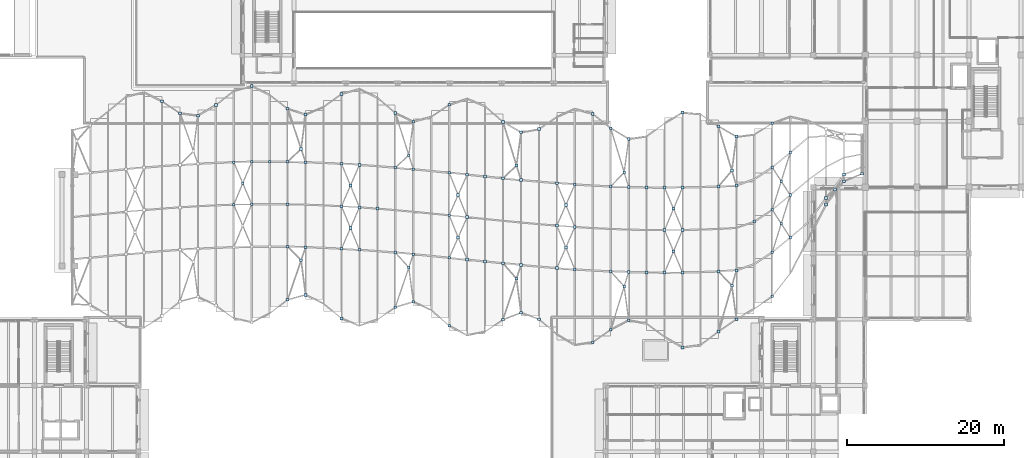
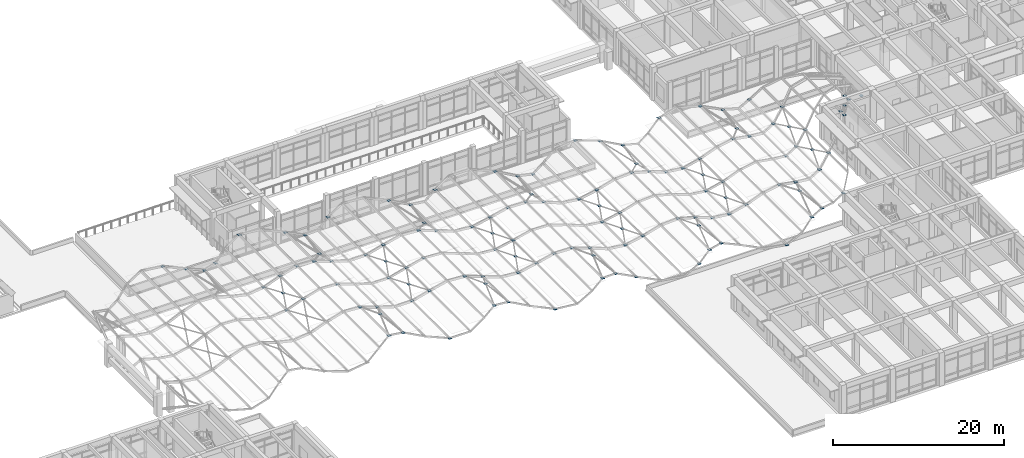
# One storey, part 48 of 79: 157 plates.
"""IFC4 building model written with IfcOpenShell, lengths in metres."""

from ifc_helpers import new_model, si_unit, direction, frame, origin, origin_2d, place, context, subcontext, project, spatial, rectangle, extrude, material, layer, layer_set, type_object, element, save


model = new_model("IFC4")

# Units and contexts
model_context = context("Model", 3, precision=1e-05, world=origin(), true_north=direction((0.0, 1.0)))
body_context = subcontext(model_context, "Body", "Model", "MODEL_VIEW")
ifc_project = project(units=[si_unit("LENGTHUNIT", "METRE"), si_unit("AREAUNIT", "SQUARE_METRE"), si_unit("VOLUMEUNIT", "CUBIC_METRE"), si_unit("PLANEANGLEUNIT", "RADIAN"), si_unit("MASSUNIT", "GRAM", prefix="KILO")], contexts=[model_context])

# Site, building, storey
site_placement = place(None, origin())
site = spatial("IfcSite", under=ifc_project, at=site_placement, CompositionType="ELEMENT")
building_placement = place(site_placement, origin())
building = spatial("IfcBuilding", under=site, at=building_placement, Name="Kolvaren Faculty of Natural Sciences", CompositionType="ELEMENT")
storey_placement = place(building_placement, frame((0.0, 0.0, 10.199951171875)))
storey = spatial("IfcBuildingStorey", under=building, at=storey_placement, Name="L02", CompositionType="ELEMENT", Elevation=10.199951171875)

# Plates
ifc_material = material(Name="Structural steel EN 10025-2 S355J2 (white architectural finish)", Category="steel")
ifc_layer = layer(ifc_material, 0.02001953125)
ifc_layer_set = layer_set([ifc_layer], Name="Structural steel EN 10025-2 S355J2 (white architectural finish)")
plate_type = type_object("IfcPlateType", Name="BranchTipCollarPlate_TN3", PredefinedType="USERDEFINED", material=ifc_layer_set)
for number, where, z_axis, x_axis, name in (
    (1, (49.4091796875, 69.923828125, 4.0595703125), (0.0, 0.0, 1.0), (1.0, 0.0, 0.0), "Steel tree TREE-02 branch tip collar node TN3"),
    (2, (56.25439453125, 69.436767578125, 2.41552734375), (0.0, 0.0, 1.0), (1.0, 0.0, 0.0), "Steel tree TREE-02 branch tip collar node TN3"),
    (3, (65.3818359375, 56.833251953125, 3.85888671875), (0.0, 0.0, 1.0), (1.0, 0.0, 0.0), "Steel tree TREE-03 branch tip collar node TN3"),
    (4, (65.3818359375, 51.43310546875, 3.833984375), (0.0, 0.0, 1.0), (1.0, 0.0, 0.0), "Steel tree TREE-03 branch tip collar node TN3"),
    (5, (67.66357421875, 45.320556640625, 3.129638671875), (0.0, 0.0, 1.0), (1.0, 0.0, 0.0), "Steel tree TREE-03 branch tip collar node TN3"),
    (6, (60.818115234375, 71.8515625, 3.388671875), (0.0, 0.0, 1.0), (1.0, 0.0, 0.0), "Steel tree TREE-04 branch tip collar node TN3"),
    (7, (63.10009765625, 62.25, 3.9609375), (0.0, 0.0, 1.0), (1.0, 0.0, 0.0), "Steel tree TREE-04 branch tip collar node TN3"),
    (8, (65.3818359375, 62.233154296875, 3.833984375), (0.0, 0.0, 1.0), (1.0, 0.0, 0.0), "Steel tree TREE-04 branch tip collar node TN3"),
    (9, (67.66357421875, 68.245849609375, 3.129638671875), (0.0, 0.0, 1.0), (1.0, 0.0, 0.0), "Steel tree TREE-04 branch tip collar node TN3"),
    (10, (72.227294921875, 42.328125, 2.5263671875), (0.0, 0.0, 1.0), (1.0, 0.0, 0.0), "Steel tree TREE-05 branch tip collar node TN3"),
    (11, (74.509033203125, 51.047119140625, 3.20654296875), (0.0, 0.0, 1.0), (1.0, 0.0, 0.0), "Steel tree TREE-05 branch tip collar node TN3"),
    (12, (76.791015625, 56.280517578125, 3.93701171875), (0.0, 0.0, 1.0), (1.0, 0.0, 0.0), "Steel tree TREE-05 branch tip collar node TN3"),
    (13, (79.07275390625, 50.692138671875, 3.900146484375), (0.0, 0.0, 1.0), (1.0, 0.0, 0.0), "Steel tree TREE-05 branch tip collar node TN3"),
    (14, (79.07275390625, 43.746337890625, 3.965087890625), (0.0, 0.0, 1.0), (1.0, 0.0, 0.0), "Steel tree TREE-05 branch tip collar node TN3"),
    (15, (72.227294921875, 70.847900390625, 2.5263671875), (0.0, 0.0, 1.0), (1.0, 0.0, 0.0), "Steel tree TREE-06 branch tip collar node TN3"),
    (16, (74.509033203125, 61.846923828125, 3.20654296875), (0.0, 0.0, 1.0), (1.0, 0.0, 0.0), "Steel tree TREE-06 branch tip collar node TN3"),
    (17, (79.07275390625, 61.4921875, 3.900146484375), (0.0, 0.0, 1.0), (1.0, 0.0, 0.0), "Steel tree TREE-06 branch tip collar node TN3"),
    (18, (79.07275390625, 68.43798828125, 3.965087890625), (0.0, 0.0, 1.0), (1.0, 0.0, 0.0), "Steel tree TREE-06 branch tip collar node TN3"),
    (19, (85.918212890625, 41.390625, 2.46728515625), (0.0, 0.0, 1.0), (1.0, 0.0, 0.0), "Steel tree TREE-07 branch tip collar node TN3"),
    (20, (85.918212890625, 50.034912109375, 2.40234375), (0.0, 0.0, 1.0), (1.0, 0.0, 0.0), "Steel tree TREE-07 branch tip collar node TN3"),
    (21, (88.199951171875, 55.199951171875, 3.11376953125), (0.0, 0.0, 1.0), (1.0, 0.0, 0.0), "Steel tree TREE-07 branch tip collar node TN3"),
    (22, (90.481689453125, 49.565185546875, 3.8486328125), (0.0, 0.0, 1.0), (1.0, 0.0, 0.0), "Steel tree TREE-07 branch tip collar node TN3"),
    (23, (92.763671875, 42.165283203125, 4.01708984375), (0.0, 0.0, 1.0), (1.0, 0.0, 0.0), "Steel tree TREE-07 branch tip collar node TN3"),
    (24, (85.918212890625, 69.47900390625, 2.46728515625), (0.0, 0.0, 1.0), (1.0, 0.0, 0.0), "Steel tree TREE-08 branch tip collar node TN3"),
    (25, (85.918212890625, 60.834716796875, 2.40234375), (0.0, 0.0, 1.0), (1.0, 0.0, 0.0), "Steel tree TREE-08 branch tip collar node TN3"),
    (26, (90.481689453125, 60.365234375, 3.8486328125), (0.0, 0.0, 1.0), (1.0, 0.0, 0.0), "Steel tree TREE-08 branch tip collar node TN3"),
    (27, (92.763671875, 67.3046875, 4.01708984375), (0.0, 0.0, 1.0), (1.0, 0.0, 0.0), "Steel tree TREE-08 branch tip collar node TN3"),
    (28, (97.327392578125, 42.2255859375, 2.583251953125), (0.0, 0.0, 1.0), (1.0, 0.0, 0.0), "Steel tree TREE-09 branch tip collar node TN3"),
    (29, (99.609130859375, 48.719482421875, 2.357666015625), (0.0, 0.0, 1.0), (1.0, 0.0, 0.0), "Steel tree TREE-09 branch tip collar node TN3"),
    (30, (99.609130859375, 54.119384765625, 2.3828125), (0.0, 0.0, 1.0), (1.0, 0.0, 0.0), "Steel tree TREE-09 branch tip collar node TN3"),
    (31, (101.890869140625, 48.552978515625, 2.97265625), (0.0, 0.0, 1.0), (1.0, 0.0, 0.0), "Steel tree TREE-09 branch tip collar node TN3"),
    (32, (104.172607421875, 39.302001953125, 3.837158203125), (0.0, 0.0, 1.0), (1.0, 0.0, 0.0), "Steel tree TREE-09 branch tip collar node TN3"),
    (33, (97.327392578125, 66.390380859375, 2.583251953125), (0.0, 0.0, 1.0), (1.0, 0.0, 0.0), "Steel tree TREE-10 branch tip collar node TN3"),
    (34, (99.609130859375, 59.51953125, 2.357666015625), (0.0, 0.0, 1.0), (1.0, 0.0, 0.0), "Steel tree TREE-10 branch tip collar node TN3"),
    (35, (101.890869140625, 59.35302734375, 2.97265625), (0.0, 0.0, 1.0), (1.0, 0.0, 0.0), "Steel tree TREE-10 branch tip collar node TN3"),
    (36, (104.172607421875, 68.32177734375, 3.837158203125), (0.0, 0.0, 1.0), (1.0, 0.0, 0.0), "Steel tree TREE-10 branch tip collar node TN3"),
    (37, (108.736328125, 42.087646484375, 3.4794921875), (0.0, 0.0, 1.0), (1.0, 0.0, 0.0), "Steel tree TREE-11 branch tip collar node TN3"),
    (38, (111.018310546875, 48.166748046875, 2.6005859375), (0.0, 0.0, 1.0), (1.0, 0.0, 0.0), "Steel tree TREE-11 branch tip collar node TN3"),
    (39, (113.300048828125, 53.550048828125, 2.353759765625), (0.0, 0.0, 1.0), (1.0, 0.0, 0.0), "Steel tree TREE-11 branch tip collar node TN3"),
    (40, (113.300048828125, 48.14990234375, 2.328857421875), (0.0, 0.0, 1.0), (1.0, 0.0, 0.0), "Steel tree TREE-11 branch tip collar node TN3"),
    (41, (115.581787109375, 38.63671875, 2.9248046875), (0.0, 0.0, 1.0), (1.0, 0.0, 0.0), "Steel tree TREE-11 branch tip collar node TN3"),
    (42, (108.736328125, 65.14599609375, 3.4794921875), (0.0, 0.0, 1.0), (1.0, 0.0, 0.0), "Steel tree TREE-12 branch tip collar node TN3"),
    (43, (111.018310546875, 58.966796875, 2.6005859375), (0.0, 0.0, 1.0), (1.0, 0.0, 0.0), "Steel tree TREE-12 branch tip collar node TN3"),
    (44, (113.300048828125, 58.949951171875, 2.328857421875), (0.0, 0.0, 1.0), (1.0, 0.0, 0.0), "Steel tree TREE-12 branch tip collar node TN3"),
    (45, (115.581787109375, 68.496826171875, 2.9248046875), (0.0, 0.0, 1.0), (1.0, 0.0, 0.0), "Steel tree TREE-12 branch tip collar node TN3"),
    (46, (120.1455078125, 40.64697265625, 4.074951171875), (0.0, 0.0, 1.0), (1.0, 0.0, 0.0), "Steel tree TREE-13 branch tip collar node TN3"),
    (47, (122.42724609375, 48.4306640625, 3.5244140625), (0.0, 0.0, 1.0), (1.0, 0.0, 0.0), "Steel tree TREE-13 branch tip collar node TN3"),
    (48, (124.708984375, 54.626708984375, 2.71875), (0.0, 0.0, 1.0), (1.0, 0.0, 0.0), "Steel tree TREE-13 branch tip collar node TN3"),
    (49, (126.990966796875, 50.73046875, 2.315673828125), (0.0, 0.0, 1.0), (1.0, 0.0, 0.0), "Steel tree TREE-13 branch tip collar node TN3"),
    (50, (126.990966796875, 45.134521484375, 2.380859375), (0.0, 0.0, 1.0), (1.0, 0.0, 0.0), "Steel tree TREE-13 branch tip collar node TN3"),
    (51, (120.1455078125, 66.751220703125, 4.074951171875), (0.0, 0.0, 1.0), (1.0, 0.0, 0.0), "Steel tree TREE-14 branch tip collar node TN3"),
    (52, (122.42724609375, 59.230712890625, 3.5244140625), (0.0, 0.0, 1.0), (1.0, 0.0, 0.0), "Steel tree TREE-14 branch tip collar node TN3"),
    (53, (126.990966796875, 61.530517578125, 2.315673828125), (0.0, 0.0, 1.0), (1.0, 0.0, 0.0), "Steel tree TREE-14 branch tip collar node TN3"),
    (54, (126.990966796875, 67.12646484375, 2.380859375), (0.0, 0.0, 1.0), (1.0, 0.0, 0.0), "Steel tree TREE-14 branch tip collar node TN3"),
    (55, (138.39990234375, 60.71533203125, 2.84619140625), (0.0, 0.0, 1.0), (1.0, 0.0, 0.0), "Canopy portal E-S-EAVE tip node TN3"),
    (56, (51.69091796875, 68.401123046875, 3.804931640625), (0.0, 0.0, 1.0), (1.0, 0.0, 0.0), "Canopy X-brace end gusset plate N1-7-1"),
    (57, (53.97265625, 68.09716796875, 2.9990234375), (0.0, 0.0, 1.0), (1.0, 0.0, 0.0), "Canopy X-brace end gusset plate N1-7-4"),
    (58, (60.818115234375, 56.833251953125, 3.37353515625), (0.0, 0.0, 1.0), (1.0, 0.0, 0.0), "Canopy X-brace end gusset plate S2-10-2"),
    (59, (58.536376953125, 56.783203125, 2.584228515625), (0.0, 0.0, 1.0), (1.0, 0.0, 0.0), "Canopy X-brace end gusset plate S2-10-3"),
    (60, (59.67724609375, 59.50830078125, 2.97900390625), (0.0, 0.0, 1.0), (1.0, 0.0, 0.0), "Canopy X-brace crossing gusset plate N2-10-0"),
    (61, (58.536376953125, 62.18310546875, 2.584228515625), (0.0, 0.0, 1.0), (1.0, 0.0, 0.0), "Canopy X-brace end gusset plate N2-10-1"),
    (62, (60.818115234375, 62.233154296875, 3.37353515625), (0.0, 0.0, 1.0), (1.0, 0.0, 0.0), "Canopy X-brace end gusset plate N2-10-4"),
    (63, (67.09326171875, 49.7109375, 3.30712890625), (0.0, 0.0, 1.0), (1.0, 0.0, 0.0), "Canopy X-brace crossing gusset plate S1-13-0"),
    (64, (65.3818359375, 44.69384765625, 3.884033203125), (0.0, 0.0, 1.0), (1.0, 0.0, 0.0), "Canopy X-brace end gusset plate S1-13-1"),
    (65, (67.66357421875, 51.38330078125, 3.11474609375), (0.0, 0.0, 1.0), (1.0, 0.0, 0.0), "Canopy X-brace end gusset plate S1-13-2"),
    (66, (65.3818359375, 51.43310546875, 3.884033203125), (0.0, 0.0, 1.0), (1.0, 0.0, 0.0), "Canopy X-brace end gusset plate S1-13-3"),
    (67, (67.66357421875, 45.320556640625, 3.11474609375), (0.0, 0.0, 1.0), (1.0, 0.0, 0.0), "Canopy X-brace end gusset plate S1-13-4"),
    (68, (67.09326171875, 63.880615234375, 3.30712890625), (0.0, 0.0, 1.0), (1.0, 0.0, 0.0), "Canopy X-brace crossing gusset plate N1-13-0"),
    (69, (65.3818359375, 68.972412109375, 3.884033203125), (0.0, 0.0, 1.0), (1.0, 0.0, 0.0), "Canopy X-brace end gusset plate N1-13-1"),
    (70, (67.66357421875, 62.18310546875, 3.11474609375), (0.0, 0.0, 1.0), (1.0, 0.0, 0.0), "Canopy X-brace end gusset plate N1-13-2"),
    (71, (65.3818359375, 62.233154296875, 3.884033203125), (0.0, 0.0, 1.0), (1.0, 0.0, 0.0), "Canopy X-brace end gusset plate N1-13-3"),
    (72, (67.66357421875, 68.245849609375, 3.11474609375), (0.0, 0.0, 1.0), (1.0, 0.0, 0.0), "Canopy X-brace end gusset plate N1-13-4"),
    (73, (73.3681640625, 53.8173828125, 2.884033203125), (0.0, 0.0, 1.0), (1.0, 0.0, 0.0), "Canopy X-brace crossing gusset plate S2-16-0"),
    (74, (72.227294921875, 51.18798828125, 2.511474609375), (0.0, 0.0, 1.0), (1.0, 0.0, 0.0), "Canopy X-brace end gusset plate S2-16-1"),
    (75, (74.509033203125, 56.447021484375, 3.256591796875), (0.0, 0.0, 1.0), (1.0, 0.0, 0.0), "Canopy X-brace end gusset plate S2-16-2"),
    (76, (72.227294921875, 56.588134765625, 2.511474609375), (0.0, 0.0, 1.0), (1.0, 0.0, 0.0), "Canopy X-brace end gusset plate S2-16-3"),
    (77, (74.509033203125, 51.047119140625, 3.256591796875), (0.0, 0.0, 1.0), (1.0, 0.0, 0.0), "Canopy X-brace end gusset plate S2-16-4"),
    (78, (73.3681640625, 59.217529296875, 2.884033203125), (0.0, 0.0, 1.0), (1.0, 0.0, 0.0), "Canopy X-brace crossing gusset plate N2-16-0"),
    (79, (72.227294921875, 61.988037109375, 2.511474609375), (0.0, 0.0, 1.0), (1.0, 0.0, 0.0), "Canopy X-brace end gusset plate N2-16-1"),
    (80, (74.509033203125, 61.846923828125, 3.256591796875), (0.0, 0.0, 1.0), (1.0, 0.0, 0.0), "Canopy X-brace end gusset plate N2-16-4"),
    (81, (80.7841796875, 48.800537109375, 3.411865234375), (0.0, 0.0, 1.0), (1.0, 0.0, 0.0), "Canopy X-brace crossing gusset plate S1-19-0"),
    (82, (79.07275390625, 43.746337890625, 3.949951171875), (0.0, 0.0, 1.0), (1.0, 0.0, 0.0), "Canopy X-brace end gusset plate S1-19-1"),
    (83, (81.3544921875, 50.4853515625, 3.232421875), (0.0, 0.0, 1.0), (1.0, 0.0, 0.0), "Canopy X-brace end gusset plate S1-19-2"),
    (84, (79.07275390625, 50.692138671875, 3.949951171875), (0.0, 0.0, 1.0), (1.0, 0.0, 0.0), "Canopy X-brace end gusset plate S1-19-3"),
    (85, (81.3544921875, 44.43505859375, 3.232421875), (0.0, 0.0, 1.0), (1.0, 0.0, 0.0), "Canopy X-brace end gusset plate S1-19-4"),
    (86, (80.7841796875, 63.073486328125, 3.411865234375), (0.0, 0.0, 1.0), (1.0, 0.0, 0.0), "Canopy X-brace crossing gusset plate N1-19-0"),
    (87, (79.07275390625, 68.43798828125, 3.949951171875), (0.0, 0.0, 1.0), (1.0, 0.0, 0.0), "Canopy X-brace end gusset plate N1-19-1"),
    (88, (81.3544921875, 61.285400390625, 3.232421875), (0.0, 0.0, 1.0), (1.0, 0.0, 0.0), "Canopy X-brace end gusset plate N1-19-2"),
    (89, (79.07275390625, 61.4921875, 3.949951171875), (0.0, 0.0, 1.0), (1.0, 0.0, 0.0), "Canopy X-brace end gusset plate N1-19-3"),
    (90, (81.3544921875, 67.335693359375, 3.232421875), (0.0, 0.0, 1.0), (1.0, 0.0, 0.0), "Canopy X-brace end gusset plate N1-19-4"),
    (91, (87.05908203125, 52.617431640625, 2.795654296875), (0.0, 0.0, 1.0), (1.0, 0.0, 0.0), "Canopy X-brace crossing gusset plate S2-22-0"),
    (92, (85.918212890625, 50.034912109375, 2.4521484375), (0.0, 0.0, 1.0), (1.0, 0.0, 0.0), "Canopy X-brace end gusset plate S2-22-1"),
    (93, (88.199951171875, 55.199951171875, 3.138916015625), (0.0, 0.0, 1.0), (1.0, 0.0, 0.0), "Canopy X-brace end gusset plate S2-22-2"),
    (94, (85.918212890625, 55.434814453125, 2.4521484375), (0.0, 0.0, 1.0), (1.0, 0.0, 0.0), "Canopy X-brace end gusset plate S2-22-3"),
    (95, (88.199951171875, 49.800048828125, 3.138916015625), (0.0, 0.0, 1.0), (1.0, 0.0, 0.0), "Canopy X-brace end gusset plate S2-22-4"),
    (96, (87.05908203125, 58.017333984375, 2.795654296875), (0.0, 0.0, 1.0), (1.0, 0.0, 0.0), "Canopy X-brace crossing gusset plate N2-22-0"),
    (97, (85.918212890625, 60.834716796875, 2.4521484375), (0.0, 0.0, 1.0), (1.0, 0.0, 0.0), "Canopy X-brace end gusset plate N2-22-1"),
    (98, (88.199951171875, 60.60009765625, 3.138916015625), (0.0, 0.0, 1.0), (1.0, 0.0, 0.0), "Canopy X-brace end gusset plate N2-22-4"),
    (99, (94.47509765625, 47.377197265625, 3.512939453125), (0.0, 0.0, 1.0), (1.0, 0.0, 0.0), "Canopy X-brace crossing gusset plate S1-25-0"),
    (100, (92.763671875, 42.165283203125, 4.001953125), (0.0, 0.0, 1.0), (1.0, 0.0, 0.0), "Canopy X-brace end gusset plate S1-25-1"),
    (101, (95.04541015625, 49.114501953125, 3.349853515625), (0.0, 0.0, 1.0), (1.0, 0.0, 0.0), "Canopy X-brace end gusset plate S1-25-2"),
    (102, (92.763671875, 49.335205078125, 4.001953125), (0.0, 0.0, 1.0), (1.0, 0.0, 0.0), "Canopy X-brace end gusset plate S1-25-3"),
    (103, (95.04541015625, 43.0419921875, 3.349853515625), (0.0, 0.0, 1.0), (1.0, 0.0, 0.0), "Canopy X-brace end gusset plate S1-25-4"),
    (104, (94.47509765625, 61.76220703125, 3.512939453125), (0.0, 0.0, 1.0), (1.0, 0.0, 0.0), "Canopy X-brace crossing gusset plate N1-25-0"),
    (105, (92.763671875, 67.3046875, 4.001953125), (0.0, 0.0, 1.0), (1.0, 0.0, 0.0), "Canopy X-brace end gusset plate N1-25-1"),
    (106, (95.04541015625, 59.91455078125, 3.349853515625), (0.0, 0.0, 1.0), (1.0, 0.0, 0.0), "Canopy X-brace end gusset plate N1-25-2"),
    (107, (92.763671875, 60.135009765625, 4.001953125), (0.0, 0.0, 1.0), (1.0, 0.0, 0.0), "Canopy X-brace end gusset plate N1-25-3"),
    (108, (95.04541015625, 65.9873046875, 3.349853515625), (0.0, 0.0, 1.0), (1.0, 0.0, 0.0), "Canopy X-brace end gusset plate N1-25-4"),
    (109, (100.75, 51.336181640625, 2.715087890625), (0.0, 0.0, 1.0), (1.0, 0.0, 0.0), "Canopy X-brace crossing gusset plate S2-28-0"),
    (110, (99.609130859375, 48.719482421875, 2.40771484375), (0.0, 0.0, 1.0), (1.0, 0.0, 0.0), "Canopy X-brace end gusset plate S2-28-1"),
    (111, (101.890869140625, 53.952880859375, 3.0224609375), (0.0, 0.0, 1.0), (1.0, 0.0, 0.0), "Canopy X-brace end gusset plate S2-28-2"),
    (112, (99.609130859375, 54.119384765625, 2.40771484375), (0.0, 0.0, 1.0), (1.0, 0.0, 0.0), "Canopy X-brace end gusset plate S2-28-3"),
    (113, (101.890869140625, 48.552978515625, 3.0224609375), (0.0, 0.0, 1.0), (1.0, 0.0, 0.0), "Canopy X-brace end gusset plate S2-28-4"),
    (114, (100.75, 56.736083984375, 2.715087890625), (0.0, 0.0, 1.0), (1.0, 0.0, 0.0), "Canopy X-brace crossing gusset plate N2-28-0"),
    (115, (99.609130859375, 59.51953125, 2.40771484375), (0.0, 0.0, 1.0), (1.0, 0.0, 0.0), "Canopy X-brace end gusset plate N2-28-1"),
    (116, (101.890869140625, 59.35302734375, 3.0224609375), (0.0, 0.0, 1.0), (1.0, 0.0, 0.0), "Canopy X-brace end gusset plate N2-28-4"),
    (117, (108.166015625, 46.3857421875, 3.608154296875), (0.0, 0.0, 1.0), (1.0, 0.0, 0.0), "Canopy X-brace crossing gusset plate S1-31-0"),
    (118, (106.45458984375, 40.892333984375, 4.038818359375), (0.0, 0.0, 1.0), (1.0, 0.0, 0.0), "Canopy X-brace end gusset plate S1-31-1"),
    (119, (108.736328125, 48.216796875, 3.46435546875), (0.0, 0.0, 1.0), (1.0, 0.0, 0.0), "Canopy X-brace end gusset plate S1-31-2"),
    (120, (106.45458984375, 48.299072265625, 4.038818359375), (0.0, 0.0, 1.0), (1.0, 0.0, 0.0), "Canopy X-brace end gusset plate S1-31-3"),
    (121, (108.736328125, 42.087646484375, 3.46435546875), (0.0, 0.0, 1.0), (1.0, 0.0, 0.0), "Canopy X-brace end gusset plate S1-31-4"),
    (122, (108.166015625, 60.888916015625, 3.608154296875), (0.0, 0.0, 1.0), (1.0, 0.0, 0.0), "Canopy X-brace crossing gusset plate N1-31-0"),
    (123, (106.45458984375, 66.505859375, 4.038818359375), (0.0, 0.0, 1.0), (1.0, 0.0, 0.0), "Canopy X-brace end gusset plate N1-31-1"),
    (124, (108.736328125, 59.016845703125, 3.46435546875), (0.0, 0.0, 1.0), (1.0, 0.0, 0.0), "Canopy X-brace end gusset plate N1-31-2"),
    (125, (106.45458984375, 59.09912109375, 4.038818359375), (0.0, 0.0, 1.0), (1.0, 0.0, 0.0), "Canopy X-brace end gusset plate N1-31-3"),
    (126, (108.736328125, 65.14599609375, 3.46435546875), (0.0, 0.0, 1.0), (1.0, 0.0, 0.0), "Canopy X-brace end gusset plate N1-31-4"),
    (127, (114.44091796875, 50.8583984375, 2.644287109375), (0.0, 0.0, 1.0), (1.0, 0.0, 0.0), "Canopy X-brace crossing gusset plate S2-34-0"),
    (128, (113.300048828125, 48.14990234375, 2.378662109375), (0.0, 0.0, 1.0), (1.0, 0.0, 0.0), "Canopy X-brace end gusset plate S2-34-1"),
    (129, (115.581787109375, 53.56689453125, 2.909912109375), (0.0, 0.0, 1.0), (1.0, 0.0, 0.0), "Canopy X-brace end gusset plate S2-34-2"),
    (130, (113.300048828125, 53.550048828125, 2.378662109375), (0.0, 0.0, 1.0), (1.0, 0.0, 0.0), "Canopy X-brace end gusset plate S2-34-3"),
    (131, (115.581787109375, 48.166748046875, 2.909912109375), (0.0, 0.0, 1.0), (1.0, 0.0, 0.0), "Canopy X-brace end gusset plate S2-34-4"),
    (132, (114.44091796875, 56.25830078125, 2.644287109375), (0.0, 0.0, 1.0), (1.0, 0.0, 0.0), "Canopy X-brace crossing gusset plate N2-34-0"),
    (133, (113.300048828125, 58.949951171875, 2.378662109375), (0.0, 0.0, 1.0), (1.0, 0.0, 0.0), "Canopy X-brace end gusset plate N2-34-1"),
    (134, (115.581787109375, 58.966796875, 2.909912109375), (0.0, 0.0, 1.0), (1.0, 0.0, 0.0), "Canopy X-brace end gusset plate N2-34-4"),
    (135, (121.85693359375, 46.48486328125, 3.69580078125), (0.0, 0.0, 1.0), (1.0, 0.0, 0.0), "Canopy X-brace crossing gusset plate S1-37-0"),
    (136, (120.1455078125, 40.64697265625, 4.059814453125), (0.0, 0.0, 1.0), (1.0, 0.0, 0.0), "Canopy X-brace end gusset plate S1-37-1"),
    (137, (122.42724609375, 48.4306640625, 3.574462890625), (0.0, 0.0, 1.0), (1.0, 0.0, 0.0), "Canopy X-brace end gusset plate S1-37-2"),
    (138, (120.1455078125, 48.299072265625, 4.059814453125), (0.0, 0.0, 1.0), (1.0, 0.0, 0.0), "Canopy X-brace end gusset plate S1-37-3"),
    (139, (122.42724609375, 42.230224609375, 3.574462890625), (0.0, 0.0, 1.0), (1.0, 0.0, 0.0), "Canopy X-brace end gusset plate S1-37-4"),
    (140, (121.85693359375, 61.11083984375, 3.69580078125), (0.0, 0.0, 1.0), (1.0, 0.0, 0.0), "Canopy X-brace crossing gusset plate N1-37-0"),
    (141, (120.1455078125, 66.751220703125, 4.059814453125), (0.0, 0.0, 1.0), (1.0, 0.0, 0.0), "Canopy X-brace end gusset plate N1-37-1"),
    (142, (122.42724609375, 59.230712890625, 3.574462890625), (0.0, 0.0, 1.0), (1.0, 0.0, 0.0), "Canopy X-brace end gusset plate N1-37-2"),
    (143, (120.1455078125, 59.09912109375, 4.059814453125), (0.0, 0.0, 1.0), (1.0, 0.0, 0.0), "Canopy X-brace end gusset plate N1-37-3"),
    (144, (122.42724609375, 65.43115234375, 3.574462890625), (0.0, 0.0, 1.0), (1.0, 0.0, 0.0), "Canopy X-brace end gusset plate N1-37-4"),
    (145, (128.1318359375, 54.36669921875, 2.58447265625), (0.0, 0.0, 1.0), (1.0, 0.0, 0.0), "Canopy X-brace crossing gusset plate S2-40-0"),
    (146, (126.990966796875, 50.73046875, 2.36572265625), (0.0, 0.0, 1.0), (1.0, 0.0, 0.0), "Canopy X-brace end gusset plate S2-40-1"),
    (147, (129.272705078125, 58.0029296875, 2.80322265625), (0.0, 0.0, 1.0), (1.0, 0.0, 0.0), "Canopy X-brace end gusset plate S2-40-2"),
    (148, (126.990966796875, 56.130615234375, 2.36572265625), (0.0, 0.0, 1.0), (1.0, 0.0, 0.0), "Canopy X-brace end gusset plate S2-40-3"),
    (149, (129.272705078125, 52.60302734375, 2.80322265625), (0.0, 0.0, 1.0), (1.0, 0.0, 0.0), "Canopy X-brace end gusset plate S2-40-4"),
    (150, (128.1318359375, 59.766845703125, 2.58447265625), (0.0, 0.0, 1.0), (1.0, 0.0, 0.0), "Canopy X-brace crossing gusset plate N2-40-0"),
    (151, (126.990966796875, 61.530517578125, 2.36572265625), (0.0, 0.0, 1.0), (1.0, 0.0, 0.0), "Canopy X-brace end gusset plate N2-40-1"),
    (152, (129.272705078125, 63.403076171875, 2.80322265625), (0.0, 0.0, 1.0), (1.0, 0.0, 0.0), "Canopy X-brace end gusset plate N2-40-4"),
    (153, (134.977294921875, 58.71337890625, 3.87109375), (0.0, 0.0, 1.0), (1.0, 0.0, 0.0), "Canopy X-brace crossing gusset plate S1-43-0"),
    (154, (133.83642578125, 56.803466796875, 4.064697265625), (0.0, 0.0, 1.0), (1.0, 0.0, 0.0), "Canopy X-brace end gusset plate S1-43-1"),
    (155, (136.1181640625, 60.623291015625, 3.677490234375), (0.0, 0.0, 1.0), (1.0, 0.0, 0.0), "Canopy X-brace end gusset plate S1-43-2"),
    (156, (133.83642578125, 57.6533203125, 4.064697265625), (0.0, 0.0, 1.0), (1.0, 0.0, 0.0), "Canopy X-brace end gusset plate S1-43-3"),
    (157, (136.1181640625, 59.773193359375, 3.677490234375), (0.0, 0.0, 1.0), (1.0, 0.0, 0.0), "Canopy X-brace end gusset plate S1-43-4"),
):
    element("IfcPlate", number, at=place(storey_placement, frame(where, z_axis=z_axis, x_axis=x_axis)), inside=storey, type_object=plate_type, Name=name, ObjectType="GUSSET PLATE", PredefinedType="USERDEFINED", context=body_context, shape_type="SweptSolid", body=[
        extrude(rectangle(XDim=0.360107421875, YDim=0.360107421875, at=origin_2d()), origin(), (0.0, 0.0, 1.0), 0.02001953125),
    ])

save(model, "model.ifc")
